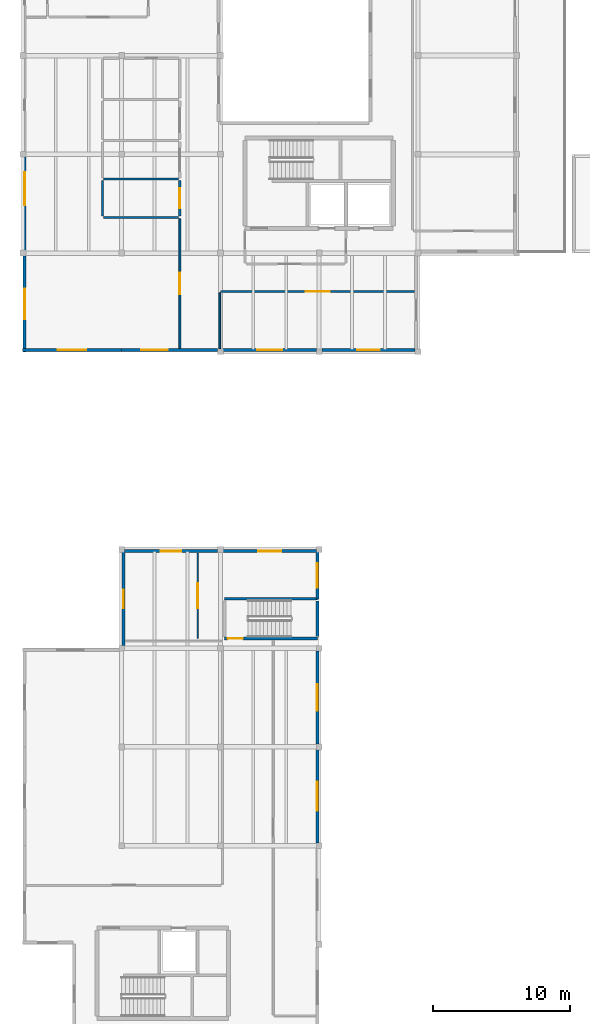
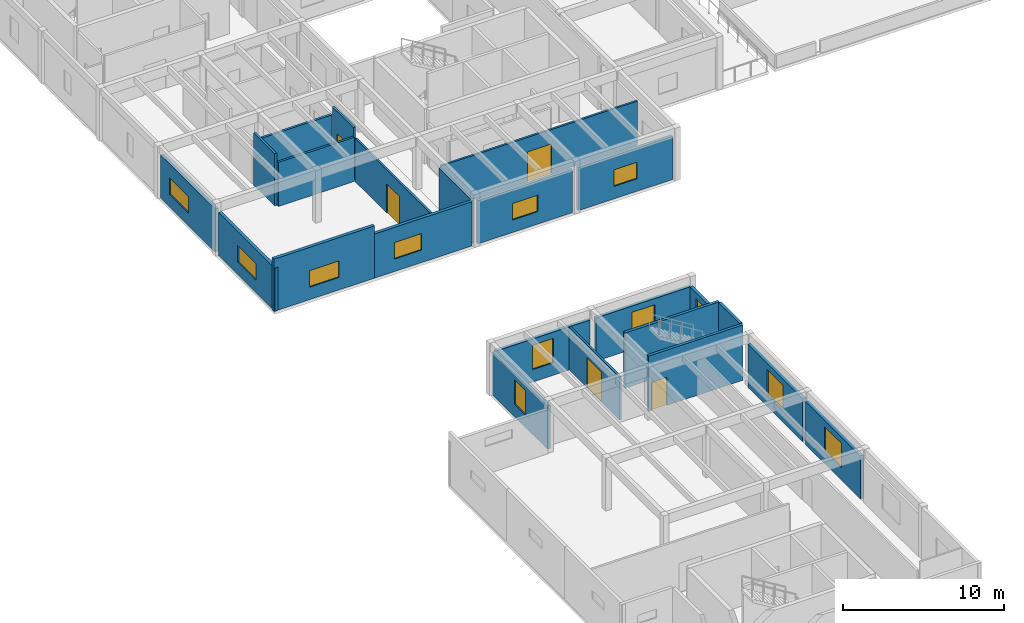
# One storey, part 4 of 15: 23 walls, 12 windows, 5 doors, 17 openings.
"""IFC4 building model written with IfcOpenShell, lengths in metres."""

from ifc_helpers import new_model, si_unit, direction, frame, frame_2d, origin, place, context, subcontext, project, spatial, rectangle, extrude, material, layer, layer_set, type_object, element, fill, save


model = new_model("IFC4")

# Units and contexts
model_context = context("Model", 3, precision=1e-05, world=origin(), true_north=direction((0.0, 1.0)))
body_context = subcontext(model_context, "Body", "Model", "MODEL_VIEW")
ifc_project = project(units=[si_unit("LENGTHUNIT", "METRE"), si_unit("AREAUNIT", "SQUARE_METRE"), si_unit("VOLUMEUNIT", "CUBIC_METRE"), si_unit("PLANEANGLEUNIT", "RADIAN"), si_unit("MASSUNIT", "GRAM", prefix="KILO")], contexts=[model_context])

# Site, building, storey
site_placement = place(None, origin())
site = spatial("IfcSite", under=ifc_project, at=site_placement, CompositionType="ELEMENT")
building_placement = place(site_placement, origin())
building = spatial("IfcBuilding", under=site, at=building_placement, Name="Bramvelor Terrace Health Centre", CompositionType="ELEMENT")
storey_placement = place(building_placement, frame((0.0, 0.0, 13.5)))
storey = spatial("IfcBuildingStorey", under=building, at=storey_placement, Name="L04", CompositionType="ELEMENT", Elevation=13.5)

# Wall, opening, door
ifc_material_1 = material(Name="Fire-rated gypsum and mineral wool", Category="gypsum")
ifc_layer_1 = layer(ifc_material_1, 0.139892578125)
ifc_layer_set_1 = layer_set([ifc_layer_1], Name="Fire-rated gypsum and mineral wool")
wall_type_1 = type_object("IfcWallType", Name="WL-COR-140", PredefinedType="PARTITIONING", material=ifc_layer_set_1)
wall_1_placement = place(storey_placement, frame((11.43994140625, 88.89990234375, 0.0), z_axis=(0.0, 0.0, 1.0), x_axis=(0.0, -1.0, 0.0)))
wall_1 = element("IfcWall", 1, at=wall_1_placement, inside=storey, type_object=wall_type_1, Name="L04 Interior Partition 299", PredefinedType="PARTITIONING", context=body_context, shape_type="SweptSolid", body=[
    extrude(rectangle(XDim=9.449951171875, YDim=0.139892578125, at=frame_2d((4.72509765625, 0.0))), origin(), (0.0, 0.0, 1.0), 3.27001953125),
])
opening_1_placement = place(wall_1_placement, frame((3.945068359375, 0.0, 0.0)))
opening_1 = element("IfcOpeningElement", 2, at=opening_1_placement, cuts=wall_1, Name="Opening FD-03", PredefinedType="OPENING", context=body_context, shape_type="SweptSolid", body=[
    extrude(rectangle(XDim=1.56005859375, YDim=2.219970703125, at=frame_2d((0.780029296875, 1.10986328125))), frame((0.0, 0.079833984375, 0.0), z_axis=(0.0, -1.0, 0.0), x_axis=(1.0, 0.0, 0.0)), (0.0, 0.0, 1.0), 0.159912109375),
])
ifc_material_2 = material(Name="Fire-rated steel and vision panel", Category="steel")
door_type_1 = type_object("IfcDoorType", Name="DR-FD90-156", OperationType="DOUBLE_DOOR_SINGLE_SWING", PredefinedType="DOOR", material=ifc_material_2)
door_1_placement = place(opening_1_placement, origin())
door_1 = element("IfcDoor", 3, at=door_1_placement, inside=storey, type_object=door_type_1, Name="L04 Chronic Kidney and Hypertension Clinic Fire Door", OperationType="DOUBLE_DOOR_SINGLE_SWING", OverallHeight=2.219970703125, OverallWidth=1.56005859375, PredefinedType="DOOR", context=body_context, shape_type="SweptSolid", body=[
    extrude(rectangle(XDim=1.56005859375, YDim=2.219970703125, at=frame_2d((0.780029296875, 1.10986328125))), frame((0.0, 0.02490234375, 0.0), z_axis=(0.0, -1.0, 0.0), x_axis=(1.0, 0.0, 0.0)), (0.0, 0.0, 1.0), 0.050048828125),
])
fill(opening_1, door_1)

# Wall
wall_2_placement = place(storey_placement, frame((14.35205078125, 79.429931640625, 0.0), z_axis=(0.0, 0.0, 1.0), x_axis=(0.0, 1.0, 0.0)))
element("IfcWall", 4, at=wall_2_placement, inside=storey, type_object=wall_type_1, Name="L04 Interior Partition 300", PredefinedType="PARTITIONING", context=body_context, shape_type="SweptSolid", body=[
    extrude(rectangle(XDim=4.078125, YDim=0.139892578125, at=frame_2d((2.0390625, 0.0))), origin(), (0.0, 0.0, 1.0), 3.27001953125),
])

# Wall, opening, door
wall_3_placement = place(storey_placement, frame((14.44189453125, 83.597900390625, 0.0), z_axis=(0.0, 0.0, 1.0), x_axis=(1.0, 0.0, 0.0)))
wall_3 = element("IfcWall", 5, at=wall_3_placement, inside=storey, type_object=wall_type_1, Name="L04 Interior Partition 301", PredefinedType="PARTITIONING", context=body_context, shape_type="SweptSolid", body=[
    extrude(rectangle(XDim=14.108154296875, YDim=0.139892578125, at=frame_2d((7.05419921875, 0.0))), origin(), (0.0, 0.0, 1.0), 3.35009765625),
])
opening_2_placement = place(wall_3_placement, frame((6.194091796875, 0.0, 0.0)))
opening_2 = element("IfcOpeningElement", 6, at=opening_2_placement, cuts=wall_3, Name="Opening FD-04", PredefinedType="OPENING", context=body_context, shape_type="SweptSolid", body=[
    extrude(rectangle(XDim=1.719970703125, YDim=2.260009765625, at=frame_2d((0.85986328125, 1.1298828125))), frame((0.0, 0.079833984375, 0.0), z_axis=(0.0, -1.0, 0.0), x_axis=(1.0, 0.0, 0.0)), (0.0, 0.0, 1.0), 0.159912109375),
])
ifc_material_3 = material(Name="Fire-rated steel and vision panel", Category="steel")
door_type_2 = type_object("IfcDoorType", Name="DR-FD90-172", OperationType="DOUBLE_DOOR_SINGLE_SWING", PredefinedType="DOOR", material=ifc_material_3)
door_2_placement = place(opening_2_placement, origin())
door_2 = element("IfcDoor", 7, at=door_2_placement, inside=storey, type_object=door_type_2, Name="L04 Geriatric Assessment Suite Fire Door", OperationType="DOUBLE_DOOR_SINGLE_SWING", OverallHeight=2.260009765625, OverallWidth=1.719970703125, PredefinedType="DOOR", context=body_context, shape_type="SweptSolid", body=[
    extrude(rectangle(XDim=1.719970703125, YDim=2.260009765625, at=frame_2d((0.85986328125, 1.1298828125))), frame((0.0, 0.02490234375, 0.0), z_axis=(0.0, -1.0, 0.0), x_axis=(1.0, 0.0, 0.0)), (0.0, 0.0, 1.0), 0.050048828125),
])
fill(opening_2, door_2)

wall_4_placement = place(storey_placement, frame((12.75, 64.550048828125, 0.0), z_axis=(0.0, 0.0, 1.0), x_axis=(0.0, -1.0, 0.0)))
wall_4 = element("IfcWall", 8, at=wall_4_placement, inside=storey, type_object=wall_type_1, Name="L04 Interior Partition 316", PredefinedType="PARTITIONING", context=body_context, shape_type="SweptSolid", body=[
    extrude(rectangle(XDim=6.25, YDim=0.139892578125, at=frame_2d((3.125, 0.0))), origin(), (0.0, 0.0, 1.0), 3.27001953125),
])
opening_3_placement = place(wall_4_placement, frame((2.205078125, 0.0, 0.0)))
opening_3 = element("IfcOpeningElement", 9, at=opening_3_placement, cuts=wall_4, Name="Opening FD-10", PredefinedType="OPENING", context=body_context, shape_type="SweptSolid", body=[
    extrude(rectangle(XDim=1.840087890625, YDim=2.280029296875, at=frame_2d((0.919921875, 1.14013671875))), frame((0.0, 0.079833984375, 0.0), z_axis=(0.0, -1.0, 0.0), x_axis=(1.0, 0.0, 0.0)), (0.0, 0.0, 1.0), 0.159912109375),
])
ifc_material_4 = material(Name="Fire-rated steel and vision panel", Category="steel")
door_type_3 = type_object("IfcDoorType", Name="DR-FD60-184", OperationType="DOUBLE_DOOR_SINGLE_SWING", PredefinedType="DOOR", material=ifc_material_4)
door_3_placement = place(opening_3_placement, origin())
door_3 = element("IfcDoor", 10, at=door_3_placement, inside=storey, type_object=door_type_3, Name="L04 Biofeedback and Sleep Clinic Suite Fire Door", OperationType="DOUBLE_DOOR_SINGLE_SWING", OverallHeight=2.280029296875, OverallWidth=1.840087890625, PredefinedType="DOOR", context=body_context, shape_type="SweptSolid", body=[
    extrude(rectangle(XDim=1.840087890625, YDim=2.280029296875, at=frame_2d((0.919921875, 1.14013671875))), frame((0.0, 0.02490234375, 0.0), z_axis=(0.0, -1.0, 0.0), x_axis=(1.0, 0.0, 0.0)), (0.0, 0.0, 1.0), 0.050048828125),
])
fill(opening_3, door_3)

ifc_material_5 = material(Name="Concrete C40/50", Category="concrete")
ifc_layer_2 = layer(ifc_material_5, 0.199951171875)
ifc_layer_set_2 = layer_set([ifc_layer_2], Name="Concrete C40/50")
wall_type_2 = type_object("IfcWallType", Name="WL-CORE-200", PredefinedType="SHEAR", material=ifc_layer_set_2)
wall_5_placement = place(storey_placement, frame((14.699951171875, 58.300048828125, 0.0), z_axis=(0.0, 0.0, 1.0), x_axis=(1.0, 0.0, 0.0)))
wall_5 = element("IfcWall", 11, at=wall_5_placement, inside=storey, type_object=wall_type_2, Name="ST-6 L04 Stair Shaft Wall", PredefinedType="SHEAR", context=body_context, shape_type="SweptSolid", body=[
    extrude(rectangle(XDim=6.775146484375, YDim=0.199951171875, at=frame_2d((3.3876953125, 0.0))), origin(), (0.0, 0.0, 1.0), 4.199951171875),
])
opening_4_placement = place(wall_5_placement, frame((0.219970703125, 0.0, 0.0)))
opening_4 = element("IfcOpeningElement", 12, at=opening_4_placement, cuts=wall_5, Name="Opening FD-06", PredefinedType="OPENING", context=body_context, shape_type="SweptSolid", body=[
    extrude(rectangle(XDim=1.1201171875, YDim=2.139892578125, at=frame_2d((0.56005859375, 1.06982421875))), frame((0.0, 0.10986328125, 0.0), z_axis=(0.0, -1.0, 0.0), x_axis=(1.0, 0.0, 0.0)), (0.0, 0.0, 1.0), 0.219970703125),
])
ifc_material_6 = material(Name="Fire-rated steel and vision panel", Category="steel")
door_type_4 = type_object("IfcDoorType", Name="DR-FD60-112", OperationType="NOTDEFINED", PredefinedType="DOOR", material=ifc_material_6)
door_4_placement = place(opening_4_placement, origin())
door_4 = element("IfcDoor", 13, at=door_4_placement, inside=storey, type_object=door_type_4, Name="ST-6 L04 Exit Stair Fire Door", OperationType="SINGLE_SWING_LEFT", OverallHeight=2.139892578125, OverallWidth=1.1201171875, PredefinedType="DOOR", context=body_context, shape_type="SweptSolid", body=[
    extrude(rectangle(XDim=1.1201171875, YDim=2.139892578125, at=frame_2d((0.56005859375, 1.06982421875))), frame((0.0, 0.02490234375, 0.0), z_axis=(0.0, -1.0, 0.0), x_axis=(1.0, 0.0, 0.0)), (0.0, 0.0, 1.0), 0.050048828125),
])
fill(opening_4, door_4)

# Walls
wall_6_placement = place(storey_placement, frame((14.699951171875, 61.199951171875, 0.0), z_axis=(0.0, 0.0, 1.0), x_axis=(1.0, 0.0, 0.0)))
element("IfcWall", 14, at=wall_6_placement, inside=storey, type_object=wall_type_2, Name="ST-6 L04 Stair Shaft Wall", PredefinedType="SHEAR", context=body_context, shape_type="SweptSolid", body=[
    extrude(rectangle(XDim=6.775146484375, YDim=0.199951171875, at=frame_2d((3.3876953125, 0.0))), origin(), (0.0, 0.0, 1.0), 4.199951171875),
])
wall_7_placement = place(storey_placement, frame((21.47509765625, 58.449951171875, 0.0), z_axis=(0.0, 0.0, 1.0), x_axis=(0.0, 1.0, 0.0)))
element("IfcWall", 15, at=wall_7_placement, inside=storey, type_object=wall_type_2, Name="ST-6 L04 Stair Shaft Wall", PredefinedType="SHEAR", context=body_context, shape_type="SweptSolid", body=[
    extrude(rectangle(XDim=2.60009765625, YDim=0.199951171875, at=frame_2d((1.300048828125, 0.0))), origin(), (0.0, 0.0, 1.0), 4.199951171875),
])

# Wall, opening, window
ifc_material_7 = material(Name="Cross-laminated timber C24", Category="wood")
ifc_layer_3 = layer(ifc_material_7, 0.219970703125)
ifc_layer_set_3 = layer_set([ifc_layer_3], Name="Cross-laminated timber C24")
wall_type_3 = type_object("IfcWallType", Name="WL-EXT-CLT220", PredefinedType="SOLIDWALL", material=ifc_layer_set_3)
wall_8_placement = place(storey_placement, frame((7.330078125, 57.804931640625, 0.0), z_axis=(0.0, 0.0, 1.0), x_axis=(0.0, 1.0, 0.0)))
wall_8 = element("IfcWall", 16, at=wall_8_placement, inside=storey, type_object=wall_type_3, Name="L04 Exterior Facade Wall 1", PredefinedType="SOLIDWALL", context=body_context, shape_type="SweptSolid", body=[
    extrude(rectangle(XDim=6.7900390625, YDim=0.219970703125, at=frame_2d((3.39501953125, 0.0))), origin(), (0.0, 0.0, 1.0), 3.27001953125),
])
opening_5_placement = place(wall_8_placement, frame((2.719970703125, 0.0, 0.949951171875)))
opening_5 = element("IfcOpeningElement", 17, at=opening_5_placement, cuts=wall_8, Name="Opening WN-53", PredefinedType="OPENING", context=body_context, shape_type="SweptSolid", body=[
    extrude(rectangle(XDim=1.35009765625, YDim=1.85009765625, at=frame_2d((0.675048828125, 0.925048828125))), frame((0.0, 0.119873046875, 0.0), z_axis=(0.0, -1.0, 0.0), x_axis=(1.0, 0.0, 0.0)), (0.0, 0.0, 1.0), 0.239990234375),
])
ifc_material_8 = material(Name="Double low-E laminated glass", Category="glass")
window_type_1 = type_object("IfcWindowType", Name="WIN-EXT-53", PartitioningType="SINGLE_PANEL", PredefinedType="WINDOW", material=ifc_material_8)
window_1_placement = place(opening_5_placement, origin())
window_1 = element("IfcWindow", 18, at=window_1_placement, inside=storey, type_object=window_type_1, Name="L04 Scheduled Clinical Window 173", OverallHeight=1.85009765625, OverallWidth=1.35009765625, PartitioningType="SINGLE_PANEL", PredefinedType="WINDOW", context=body_context, shape_type="SweptSolid", body=[
    extrude(rectangle(XDim=1.35009765625, YDim=1.85009765625, at=frame_2d((0.675048828125, 0.925048828125))), frame((0.0, 0.030029296875, 0.0), z_axis=(0.0, -1.0, 0.0), x_axis=(1.0, 0.0, 0.0)), (0.0, 0.0, 1.0), 0.06005859375),
])
fill(opening_5, window_1)

wall_9_placement = place(storey_placement, frame((7.405029296875, 64.669921875, 0.0), z_axis=(0.0, 0.0, 1.0), x_axis=(1.0, 0.0, 0.0)))
wall_9 = element("IfcWall", 19, at=wall_9_placement, inside=storey, type_object=wall_type_3, Name="L04 Exterior Facade Wall 2", PredefinedType="SOLIDWALL", context=body_context, shape_type="SweptSolid", body=[
    extrude(rectangle(XDim=6.7900390625, YDim=0.219970703125, at=frame_2d((3.39501953125, 0.0))), origin(), (0.0, 0.0, 1.0), 3.27001953125),
])
opening_6_placement = place(wall_9_placement, frame((2.64501953125, 0.0, 0.949951171875)))
opening_6 = element("IfcOpeningElement", 20, at=opening_6_placement, cuts=wall_9, Name="Opening WN-54", PredefinedType="OPENING", context=body_context, shape_type="SweptSolid", body=[
    extrude(rectangle(XDim=1.5, YDim=1.85009765625, at=frame_2d((0.75, 0.925048828125))), frame((0.0, 0.119873046875, 0.0), z_axis=(0.0, -1.0, 0.0), x_axis=(1.0, 0.0, 0.0)), (0.0, 0.0, 1.0), 0.239990234375),
])
ifc_material_9 = material(Name="Double low-E laminated glass", Category="glass")
window_type_2 = type_object("IfcWindowType", Name="WIN-EXT-54", PartitioningType="SINGLE_PANEL", PredefinedType="WINDOW", material=ifc_material_9)
window_2_placement = place(opening_6_placement, origin())
window_2 = element("IfcWindow", 21, at=window_2_placement, inside=storey, type_object=window_type_2, Name="L04 Scheduled Clinical Window 174", OverallHeight=1.85009765625, OverallWidth=1.5, PartitioningType="SINGLE_PANEL", PredefinedType="WINDOW", context=body_context, shape_type="SweptSolid", body=[
    extrude(rectangle(XDim=1.5, YDim=1.85009765625, at=frame_2d((0.75, 0.925048828125))), frame((0.0, 0.030029296875, 0.0), z_axis=(0.0, -1.0, 0.0), x_axis=(1.0, 0.0, 0.0)), (0.0, 0.0, 1.0), 0.06005859375),
])
fill(opening_6, window_2)

wall_10_placement = place(storey_placement, frame((14.60498046875, 64.669921875, 0.0), z_axis=(0.0, 0.0, 1.0), x_axis=(1.0, 0.0, 0.0)))
wall_10 = element("IfcWall", 22, at=wall_10_placement, inside=storey, type_object=wall_type_3, Name="L04 Exterior Facade Wall 3", PredefinedType="SOLIDWALL", context=body_context, shape_type="SweptSolid", body=[
    extrude(rectangle(XDim=6.7900390625, YDim=0.219970703125, at=frame_2d((3.39501953125, 0.0))), origin(), (0.0, 0.0, 1.0), 3.27001953125),
])
opening_7_placement = place(wall_10_placement, frame((2.570068359375, 0.0, 0.949951171875)))
opening_7 = element("IfcOpeningElement", 23, at=opening_7_placement, cuts=wall_10, Name="Opening WN-55", PredefinedType="OPENING", context=body_context, shape_type="SweptSolid", body=[
    extrude(rectangle(XDim=1.64990234375, YDim=1.85009765625, at=frame_2d((0.824951171875, 0.925048828125))), frame((0.0, 0.119873046875, 0.0), z_axis=(0.0, -1.0, 0.0), x_axis=(1.0, 0.0, 0.0)), (0.0, 0.0, 1.0), 0.239990234375),
])
ifc_material_10 = material(Name="Double low-E laminated glass", Category="glass")
window_type_3 = type_object("IfcWindowType", Name="WIN-EXT-55", PartitioningType="SINGLE_PANEL", PredefinedType="WINDOW", material=ifc_material_10)
window_3_placement = place(opening_7_placement, origin())
window_3 = element("IfcWindow", 24, at=window_3_placement, inside=storey, type_object=window_type_3, Name="L04 Scheduled Clinical Window 175", OverallHeight=1.85009765625, OverallWidth=1.64990234375, PartitioningType="SINGLE_PANEL", PredefinedType="WINDOW", context=body_context, shape_type="SweptSolid", body=[
    extrude(rectangle(XDim=1.64990234375, YDim=1.85009765625, at=frame_2d((0.824951171875, 0.925048828125))), frame((0.0, 0.030029296875, 0.0), z_axis=(0.0, -1.0, 0.0), x_axis=(1.0, 0.0, 0.0)), (0.0, 0.0, 1.0), 0.06005859375),
])
fill(opening_7, window_3)

wall_11_placement = place(storey_placement, frame((21.469970703125, 64.594970703125, 0.0), z_axis=(0.0, 0.0, 1.0), x_axis=(0.0, -1.0, 0.0)))
wall_11 = element("IfcWall", 25, at=wall_11_placement, inside=storey, type_object=wall_type_3, Name="L04 Exterior Facade Wall 4", PredefinedType="SOLIDWALL", context=body_context, shape_type="SweptSolid", body=[
    extrude(rectangle(XDim=3.39501953125, YDim=0.219970703125, at=frame_2d((1.697509765625, 0.0))), origin(), (0.0, 0.0, 1.0), 3.27001953125),
])
opening_8_placement = place(wall_11_placement, frame((0.797607421875, 0.0, 0.949951171875)))
opening_8 = element("IfcOpeningElement", 26, at=opening_8_placement, cuts=wall_11, Name="Opening WN-56", PredefinedType="OPENING", context=body_context, shape_type="SweptSolid", body=[
    extrude(rectangle(XDim=1.800048828125, YDim=1.85009765625, at=frame_2d((0.89990234375, 0.925048828125))), frame((0.0, 0.119873046875, 0.0), z_axis=(0.0, -1.0, 0.0), x_axis=(1.0, 0.0, 0.0)), (0.0, 0.0, 1.0), 0.239990234375),
])
ifc_material_11 = material(Name="Double low-E laminated glass", Category="glass")
window_type_4 = type_object("IfcWindowType", Name="WIN-EXT-56", PartitioningType="SINGLE_PANEL", PredefinedType="WINDOW", material=ifc_material_11)
window_4_placement = place(opening_8_placement, origin())
window_4 = element("IfcWindow", 27, at=window_4_placement, inside=storey, type_object=window_type_4, Name="L04 Scheduled Clinical Window 176", OverallHeight=1.85009765625, OverallWidth=1.800048828125, PartitioningType="SINGLE_PANEL", PredefinedType="WINDOW", context=body_context, shape_type="SweptSolid", body=[
    extrude(rectangle(XDim=1.800048828125, YDim=1.85009765625, at=frame_2d((0.89990234375, 0.925048828125))), frame((0.0, 0.030029296875, 0.0), z_axis=(0.0, -1.0, 0.0), x_axis=(1.0, 0.0, 0.0)), (0.0, 0.0, 1.0), 0.06005859375),
])
fill(opening_8, window_4)

wall_12_placement = place(storey_placement, frame((21.469970703125, 57.39501953125, 0.0), z_axis=(0.0, 0.0, 1.0), x_axis=(0.0, -1.0, 0.0)))
wall_12 = element("IfcWall", 28, at=wall_12_placement, inside=storey, type_object=wall_type_3, Name="L04 Exterior Facade Wall 5", PredefinedType="SOLIDWALL", context=body_context, shape_type="SweptSolid", body=[
    extrude(rectangle(XDim=6.7900390625, YDim=0.219970703125, at=frame_2d((3.39501953125, 0.0))), origin(), (0.0, 0.0, 1.0), 3.27001953125),
])
opening_9_placement = place(wall_12_placement, frame((2.419921875, 0.0, 0.949951171875)))
opening_9 = element("IfcOpeningElement", 29, at=opening_9_placement, cuts=wall_12, Name="Opening WN-57", PredefinedType="OPENING", context=body_context, shape_type="SweptSolid", body=[
    extrude(rectangle(XDim=1.949951171875, YDim=1.85009765625, at=frame_2d((0.97509765625, 0.925048828125))), frame((0.0, 0.119873046875, 0.0), z_axis=(0.0, -1.0, 0.0), x_axis=(1.0, 0.0, 0.0)), (0.0, 0.0, 1.0), 0.239990234375),
])
ifc_material_12 = material(Name="Double low-E laminated glass", Category="glass")
window_type_5 = type_object("IfcWindowType", Name="WIN-EXT-57", PartitioningType="SINGLE_PANEL", PredefinedType="WINDOW", material=ifc_material_12)
window_5_placement = place(opening_9_placement, origin())
window_5 = element("IfcWindow", 30, at=window_5_placement, inside=storey, type_object=window_type_5, Name="L04 Scheduled Clinical Window 177", OverallHeight=1.85009765625, OverallWidth=1.949951171875, PartitioningType="SINGLE_PANEL", PredefinedType="WINDOW", context=body_context, shape_type="SweptSolid", body=[
    extrude(rectangle(XDim=1.949951171875, YDim=1.85009765625, at=frame_2d((0.97509765625, 0.925048828125))), frame((0.0, 0.030029296875, 0.0), z_axis=(0.0, -1.0, 0.0), x_axis=(1.0, 0.0, 0.0)), (0.0, 0.0, 1.0), 0.06005859375),
])
fill(opening_9, window_5)

wall_13_placement = place(storey_placement, frame((21.469970703125, 50.195068359375, 0.0), z_axis=(0.0, 0.0, 1.0), x_axis=(0.0, -1.0, 0.0)))
wall_13 = element("IfcWall", 31, at=wall_13_placement, inside=storey, type_object=wall_type_3, Name="L04 Exterior Facade Wall 6", PredefinedType="SOLIDWALL", context=body_context, shape_type="SweptSolid", body=[
    extrude(rectangle(XDim=6.7900390625, YDim=0.219970703125, at=frame_2d((3.39501953125, 0.0))), origin(), (0.0, 0.0, 1.0), 3.27001953125),
])
opening_10_placement = place(wall_13_placement, frame((2.344970703125, 0.0, 0.949951171875)))
opening_10 = element("IfcOpeningElement", 32, at=opening_10_placement, cuts=wall_13, Name="Opening WN-58", PredefinedType="OPENING", context=body_context, shape_type="SweptSolid", body=[
    extrude(rectangle(XDim=2.10009765625, YDim=1.85009765625, at=frame_2d((1.050048828125, 0.925048828125))), frame((0.0, 0.119873046875, 0.0), z_axis=(0.0, -1.0, 0.0), x_axis=(1.0, 0.0, 0.0)), (0.0, 0.0, 1.0), 0.239990234375),
])
ifc_material_13 = material(Name="Double low-E laminated glass", Category="glass")
window_type_6 = type_object("IfcWindowType", Name="WIN-EXT-58", PartitioningType="SINGLE_PANEL", PredefinedType="WINDOW", material=ifc_material_13)
window_6_placement = place(opening_10_placement, origin())
window_6 = element("IfcWindow", 33, at=window_6_placement, inside=storey, type_object=window_type_6, Name="L04 Scheduled Clinical Window 178", OverallHeight=1.85009765625, OverallWidth=2.10009765625, PartitioningType="SINGLE_PANEL", PredefinedType="WINDOW", context=body_context, shape_type="SweptSolid", body=[
    extrude(rectangle(XDim=2.10009765625, YDim=1.85009765625, at=frame_2d((1.050048828125, 0.925048828125))), frame((0.0, 0.030029296875, 0.0), z_axis=(0.0, -1.0, 0.0), x_axis=(1.0, 0.0, 0.0)), (0.0, 0.0, 1.0), 0.06005859375),
])
fill(opening_10, window_6)

wall_14_placement = place(storey_placement, frame((28.594970703125, 79.330078125, 0.0), z_axis=(0.0, 0.0, 1.0), x_axis=(-1.0, 0.0, 0.0)))
wall_14 = element("IfcWall", 34, at=wall_14_placement, inside=storey, type_object=wall_type_3, Name="L04 Exterior Facade Wall 41", PredefinedType="SOLIDWALL", context=body_context, shape_type="SweptSolid", body=[
    extrude(rectangle(XDim=6.7900390625, YDim=0.219970703125, at=frame_2d((3.39501953125, 0.0))), origin(), (0.0, 0.0, 1.0), 3.27001953125),
])
opening_11_placement = place(wall_14_placement, frame((2.570068359375, 0.0, 0.949951171875)))
opening_11 = element("IfcOpeningElement", 35, at=opening_11_placement, cuts=wall_14, Name="Opening WN-31", PredefinedType="OPENING", context=body_context, shape_type="SweptSolid", body=[
    extrude(rectangle(XDim=1.64990234375, YDim=1.25, at=frame_2d((0.824951171875, 0.625))), frame((0.0, 0.119873046875, 0.0), z_axis=(0.0, -1.0, 0.0), x_axis=(1.0, 0.0, 0.0)), (0.0, 0.0, 1.0), 0.239990234375),
])
ifc_material_14 = material(Name="Double low-E laminated glass", Category="glass")
window_type_7 = type_object("IfcWindowType", Name="WIN-EXT-31", PartitioningType="SINGLE_PANEL", PredefinedType="WINDOW", material=ifc_material_14)
window_7_placement = place(opening_11_placement, origin())
window_7 = element("IfcWindow", 36, at=window_7_placement, inside=storey, type_object=window_type_7, Name="L04 Scheduled Clinical Window 211", OverallHeight=1.25, OverallWidth=1.64990234375, PartitioningType="SINGLE_PANEL", PredefinedType="WINDOW", context=body_context, shape_type="SweptSolid", body=[
    extrude(rectangle(XDim=1.64990234375, YDim=1.25, at=frame_2d((0.824951171875, 0.625))), frame((0.0, 0.030029296875, 0.0), z_axis=(0.0, -1.0, 0.0), x_axis=(1.0, 0.0, 0.0)), (0.0, 0.0, 1.0), 0.06005859375),
])
fill(opening_11, window_7)

wall_15_placement = place(storey_placement, frame((21.39501953125, 79.330078125, 0.0), z_axis=(0.0, 0.0, 1.0), x_axis=(-1.0, 0.0, 0.0)))
wall_15 = element("IfcWall", 37, at=wall_15_placement, inside=storey, type_object=wall_type_3, Name="L04 Exterior Facade Wall 42", PredefinedType="SOLIDWALL", context=body_context, shape_type="SweptSolid", body=[
    extrude(rectangle(XDim=6.7900390625, YDim=0.219970703125, at=frame_2d((3.39501953125, 0.0))), origin(), (0.0, 0.0, 1.0), 3.27001953125),
])
opening_12_placement = place(wall_15_placement, frame((2.4951171875, 0.0, 0.949951171875)))
opening_12 = element("IfcOpeningElement", 38, at=opening_12_placement, cuts=wall_15, Name="Opening WN-32", PredefinedType="OPENING", context=body_context, shape_type="SweptSolid", body=[
    extrude(rectangle(XDim=1.800048828125, YDim=1.25, at=frame_2d((0.89990234375, 0.625))), frame((0.0, 0.119873046875, 0.0), z_axis=(0.0, -1.0, 0.0), x_axis=(1.0, 0.0, 0.0)), (0.0, 0.0, 1.0), 0.239990234375),
])
ifc_material_15 = material(Name="Double low-E laminated glass", Category="glass")
window_type_8 = type_object("IfcWindowType", Name="WIN-EXT-32", PartitioningType="SINGLE_PANEL", PredefinedType="WINDOW", material=ifc_material_15)
window_8_placement = place(opening_12_placement, origin())
window_8 = element("IfcWindow", 39, at=window_8_placement, inside=storey, type_object=window_type_8, Name="L04 Scheduled Clinical Window 212", OverallHeight=1.25, OverallWidth=1.800048828125, PartitioningType="SINGLE_PANEL", PredefinedType="WINDOW", context=body_context, shape_type="SweptSolid", body=[
    extrude(rectangle(XDim=1.800048828125, YDim=1.25, at=frame_2d((0.89990234375, 0.625))), frame((0.0, 0.030029296875, 0.0), z_axis=(0.0, -1.0, 0.0), x_axis=(1.0, 0.0, 0.0)), (0.0, 0.0, 1.0), 0.06005859375),
])
fill(opening_12, window_8)

wall_16_placement = place(storey_placement, frame((14.195068359375, 79.330078125, 0.0), z_axis=(0.0, 0.0, 1.0), x_axis=(-1.0, 0.0, 0.0)))
wall_16 = element("IfcWall", 40, at=wall_16_placement, inside=storey, type_object=wall_type_3, Name="L04 Exterior Facade Wall 43", PredefinedType="SOLIDWALL", context=body_context, shape_type="SweptSolid", body=[
    extrude(rectangle(XDim=6.9951171875, YDim=0.219970703125, at=frame_2d((3.49755859375, 0.0))), origin(), (0.0, 0.0, 1.0), 3.35009765625),
])
opening_13_placement = place(wall_16_placement, frame((3.62255859375, 0.0, 0.949951171875)))
opening_13 = element("IfcOpeningElement", 41, at=opening_13_placement, cuts=wall_16, Name="Opening WN-33", PredefinedType="OPENING", context=body_context, shape_type="SweptSolid", body=[
    extrude(rectangle(XDim=1.949951171875, YDim=1.25, at=frame_2d((0.97509765625, 0.625))), frame((0.0, 0.119873046875, 0.0), z_axis=(0.0, -1.0, 0.0), x_axis=(1.0, 0.0, 0.0)), (0.0, 0.0, 1.0), 0.239990234375),
])
ifc_material_16 = material(Name="Double low-E laminated glass", Category="glass")
window_type_9 = type_object("IfcWindowType", Name="WIN-EXT-33", PartitioningType="SINGLE_PANEL", PredefinedType="WINDOW", material=ifc_material_16)
window_9_placement = place(opening_13_placement, origin())
window_9 = element("IfcWindow", 42, at=window_9_placement, inside=storey, type_object=window_type_9, Name="L04 Scheduled Clinical Window 213", OverallHeight=1.25, OverallWidth=1.949951171875, PartitioningType="SINGLE_PANEL", PredefinedType="WINDOW", context=body_context, shape_type="SweptSolid", body=[
    extrude(rectangle(XDim=1.949951171875, YDim=1.25, at=frame_2d((0.97509765625, 0.625))), frame((0.0, 0.030029296875, 0.0), z_axis=(0.0, -1.0, 0.0), x_axis=(1.0, 0.0, 0.0)), (0.0, 0.0, 1.0), 0.06005859375),
])
fill(opening_13, window_9)

wall_17_placement = place(storey_placement, frame((7.199951171875, 79.330078125, 0.0), z_axis=(0.0, 0.0, 1.0), x_axis=(-1.0, 0.0, 0.0)))
wall_17 = element("IfcWall", 43, at=wall_17_placement, inside=storey, type_object=wall_type_3, Name="L04 Exterior Facade Wall 44", PredefinedType="SOLIDWALL", context=body_context, shape_type="SweptSolid", body=[
    extrude(rectangle(XDim=7.239990234375, YDim=0.219970703125, at=frame_2d((3.6201171875, 0.0))), origin(), (0.0, 0.0, 1.0), 3.969970703125),
])
opening_14_placement = place(wall_17_placement, frame((2.570068359375, 0.0, 0.949951171875)))
opening_14 = element("IfcOpeningElement", 44, at=opening_14_placement, cuts=wall_17, Name="Opening WN-34", PredefinedType="OPENING", context=body_context, shape_type="SweptSolid", body=[
    extrude(rectangle(XDim=2.10009765625, YDim=1.25, at=frame_2d((1.050048828125, 0.625))), frame((0.0, 0.119873046875, 0.0), z_axis=(0.0, -1.0, 0.0), x_axis=(1.0, 0.0, 0.0)), (0.0, 0.0, 1.0), 0.239990234375),
])
ifc_material_17 = material(Name="Double low-E laminated glass", Category="glass")
window_type_10 = type_object("IfcWindowType", Name="WIN-EXT-34", PartitioningType="SINGLE_PANEL", PredefinedType="WINDOW", material=ifc_material_17)
window_10_placement = place(opening_14_placement, origin())
window_10 = element("IfcWindow", 45, at=window_10_placement, inside=storey, type_object=window_type_10, Name="L04 Scheduled Clinical Window 214", OverallHeight=1.25, OverallWidth=2.10009765625, PartitioningType="SINGLE_PANEL", PredefinedType="WINDOW", context=body_context, shape_type="SweptSolid", body=[
    extrude(rectangle(XDim=2.10009765625, YDim=1.25, at=frame_2d((1.050048828125, 0.625))), frame((0.0, 0.030029296875, 0.0), z_axis=(0.0, -1.0, 0.0), x_axis=(1.0, 0.0, 0.0)), (0.0, 0.0, 1.0), 0.06005859375),
])
fill(opening_14, window_10)

wall_18_placement = place(storey_placement, frame((0.1298828125, 79.179931640625, 0.0), z_axis=(0.0, 0.0, 1.0), x_axis=(0.0, 1.0, 0.0)))
wall_18 = element("IfcWall", 46, at=wall_18_placement, inside=storey, type_object=wall_type_3, Name="L04 Exterior Facade Wall 45", PredefinedType="SOLIDWALL", context=body_context, shape_type="SweptSolid", body=[
    extrude(rectangle(XDim=7.01513671875, YDim=0.219970703125, at=frame_2d((3.507568359375, 0.0))), origin(), (0.0, 0.0, 1.0), 3.27001953125),
])
opening_15_placement = place(wall_18_placement, frame((2.382568359375, 0.0, 0.949951171875)))
opening_15 = element("IfcOpeningElement", 47, at=opening_15_placement, cuts=wall_18, Name="Opening WN-35", PredefinedType="OPENING", context=body_context, shape_type="SweptSolid", body=[
    extrude(rectangle(XDim=2.25, YDim=1.25, at=frame_2d((1.125, 0.625))), frame((0.0, 0.119873046875, 0.0), z_axis=(0.0, -1.0, 0.0), x_axis=(1.0, 0.0, 0.0)), (0.0, 0.0, 1.0), 0.239990234375),
])
ifc_material_18 = material(Name="Double low-E laminated glass", Category="glass")
window_type_11 = type_object("IfcWindowType", Name="WIN-EXT-35", PartitioningType="SINGLE_PANEL", PredefinedType="WINDOW", material=ifc_material_18)
window_11_placement = place(opening_15_placement, origin())
window_11 = element("IfcWindow", 48, at=window_11_placement, inside=storey, type_object=window_type_11, Name="L04 Scheduled Clinical Window 215", OverallHeight=1.25, OverallWidth=2.25, PartitioningType="SINGLE_PANEL", PredefinedType="WINDOW", context=body_context, shape_type="SweptSolid", body=[
    extrude(rectangle(XDim=2.25, YDim=1.25, at=frame_2d((1.125, 0.625))), frame((0.0, 0.030029296875, 0.0), z_axis=(0.0, -1.0, 0.0), x_axis=(1.0, 0.0, 0.0)), (0.0, 0.0, 1.0), 0.06005859375),
])
fill(opening_15, window_11)

wall_19_placement = place(storey_placement, frame((0.1298828125, 86.60498046875, 0.0), z_axis=(0.0, 0.0, 1.0), x_axis=(0.0, 1.0, 0.0)))
wall_19 = element("IfcWall", 49, at=wall_19_placement, inside=storey, type_object=wall_type_3, Name="L04 Exterior Facade Wall 46", PredefinedType="SOLIDWALL", context=body_context, shape_type="SweptSolid", body=[
    extrude(rectangle(XDim=6.7900390625, YDim=0.219970703125, at=frame_2d((3.39501953125, 0.0))), origin(), (0.0, 0.0, 1.0), 3.27001953125),
])
opening_16_placement = place(wall_19_placement, frame((3.294921875, 0.0, 0.949951171875)))
opening_16 = element("IfcOpeningElement", 50, at=opening_16_placement, cuts=wall_19, Name="Opening WN-36", PredefinedType="OPENING", context=body_context, shape_type="SweptSolid", body=[
    extrude(rectangle(XDim=2.39990234375, YDim=1.25, at=frame_2d((1.199951171875, 0.625))), frame((0.0, 0.119873046875, 0.0), z_axis=(0.0, -1.0, 0.0), x_axis=(1.0, 0.0, 0.0)), (0.0, 0.0, 1.0), 0.239990234375),
])
ifc_material_19 = material(Name="Double low-E laminated glass", Category="glass")
window_type_12 = type_object("IfcWindowType", Name="WIN-EXT-36", PartitioningType="SINGLE_PANEL", PredefinedType="WINDOW", material=ifc_material_19)
window_12_placement = place(opening_16_placement, origin())
window_12 = element("IfcWindow", 51, at=window_12_placement, inside=storey, type_object=window_type_12, Name="L04 Scheduled Clinical Window 216", OverallHeight=1.25, OverallWidth=2.39990234375, PartitioningType="SINGLE_PANEL", PredefinedType="WINDOW", context=body_context, shape_type="SweptSolid", body=[
    extrude(rectangle(XDim=2.39990234375, YDim=1.25, at=frame_2d((1.199951171875, 0.625))), frame((0.0, 0.030029296875, 0.0), z_axis=(0.0, -1.0, 0.0), x_axis=(1.0, 0.0, 0.0)), (0.0, 0.0, 1.0), 0.06005859375),
])
fill(opening_16, window_12)

# Wall
ifc_material_20 = material(Name="Moisture-resistant service chase board", Category="gypsum")
ifc_layer_4 = layer(ifc_material_20, 0.159912109375)
ifc_layer_set_4 = layer_set([ifc_layer_4], Name="Moisture-resistant service chase board")
wall_type_4 = type_object("IfcWallType", Name="WL-PLM-160", PredefinedType="PLUMBINGWALL", material=ifc_layer_set_4)
wall_20_placement = place(storey_placement, frame((11.35009765625, 91.800048828125, 0.0), z_axis=(0.0, 0.0, 1.0), x_axis=(-1.0, 0.0, 0.0)))
element("IfcWall", 52, at=wall_20_placement, inside=storey, type_object=wall_type_4, Name="L04 Interior Partition 294", PredefinedType="PLUMBINGWALL", context=body_context, shape_type="SweptSolid", body=[
    extrude(rectangle(XDim=5.460205078125, YDim=0.159912109375, at=frame_2d((2.72998046875, 0.0))), origin(), (0.0, 0.0, 1.0), 3.35009765625),
])

# Wall, opening, door
wall_21_placement = place(storey_placement, frame((11.43994140625, 91.699951171875, 0.0), z_axis=(0.0, 0.0, 1.0), x_axis=(0.0, -1.0, 0.0)))
wall_21 = element("IfcWall", 53, at=wall_21_placement, inside=storey, type_object=wall_type_4, Name="L04 Interior Partition 296", PredefinedType="PLUMBINGWALL", context=body_context, shape_type="SweptSolid", body=[
    extrude(rectangle(XDim=2.60986328125, YDim=0.159912109375, at=frame_2d((1.304931640625, 0.0))), origin(), (0.0, 0.0, 1.0), 3.969970703125),
])
opening_17_placement = place(wall_21_placement, frame((0.56494140625, 0.0, 0.0)))
opening_17 = element("IfcOpeningElement", 54, at=opening_17_placement, cuts=wall_21, Name="Opening ID-OR3", PredefinedType="OPENING", context=body_context, shape_type="SweptSolid", body=[
    extrude(rectangle(XDim=1.47998046875, YDim=2.300048828125, at=frame_2d((0.739990234375, 1.14990234375))), frame((0.0, 0.08984375, 0.0), z_axis=(0.0, -1.0, 0.0), x_axis=(1.0, 0.0, 0.0)), (0.0, 0.0, 1.0), 0.179931640625),
])
ifc_material_21 = material(Name="Solid-core acoustic timber laminate", Category="wood")
door_type_5 = type_object("IfcDoorType", Name="DR-OR-SLD148", OperationType="SLIDING_TO_RIGHT", PredefinedType="DOOR", material=ifc_material_21)
door_5_placement = place(opening_17_placement, origin())
door_5 = element("IfcDoor", 55, at=door_5_placement, inside=storey, type_object=door_type_5, Name="L04 Public Female WC Clinical Door", OperationType="SLIDING_TO_RIGHT", OverallHeight=2.300048828125, OverallWidth=1.47998046875, PredefinedType="DOOR", context=body_context, shape_type="SweptSolid", body=[
    extrude(rectangle(XDim=1.47998046875, YDim=2.300048828125, at=frame_2d((0.739990234375, 1.14990234375))), frame((0.0, 0.02490234375, 0.0), z_axis=(0.0, -1.0, 0.0), x_axis=(1.0, 0.0, 0.0)), (0.0, 0.0, 1.0), 0.050048828125),
])
fill(opening_17, door_5)

# Walls
wall_22_placement = place(storey_placement, frame((11.35009765625, 89.0, 0.0), z_axis=(0.0, 0.0, 1.0), x_axis=(-1.0, 0.0, 0.0)))
element("IfcWall", 56, at=wall_22_placement, inside=storey, type_object=wall_type_4, Name="L04 Interior Partition 297", PredefinedType="PLUMBINGWALL", context=body_context, shape_type="SweptSolid", body=[
    extrude(rectangle(XDim=5.460205078125, YDim=0.159912109375, at=frame_2d((2.72998046875, 0.0))), origin(), (0.0, 0.0, 1.0), 3.35009765625),
])
wall_23_placement = place(storey_placement, frame((5.800048828125, 89.090087890625, 0.0), z_axis=(0.0, 0.0, 1.0), x_axis=(0.0, 1.0, 0.0)))
element("IfcWall", 57, at=wall_23_placement, inside=storey, type_object=wall_type_4, Name="L04 Interior Partition 298", PredefinedType="PLUMBINGWALL", context=body_context, shape_type="SweptSolid", body=[
    extrude(rectangle(XDim=2.60986328125, YDim=0.159912109375, at=frame_2d((1.304931640625, 0.0))), origin(), (0.0, 0.0, 1.0), 3.969970703125),
])

save(model, "model.ifc")
